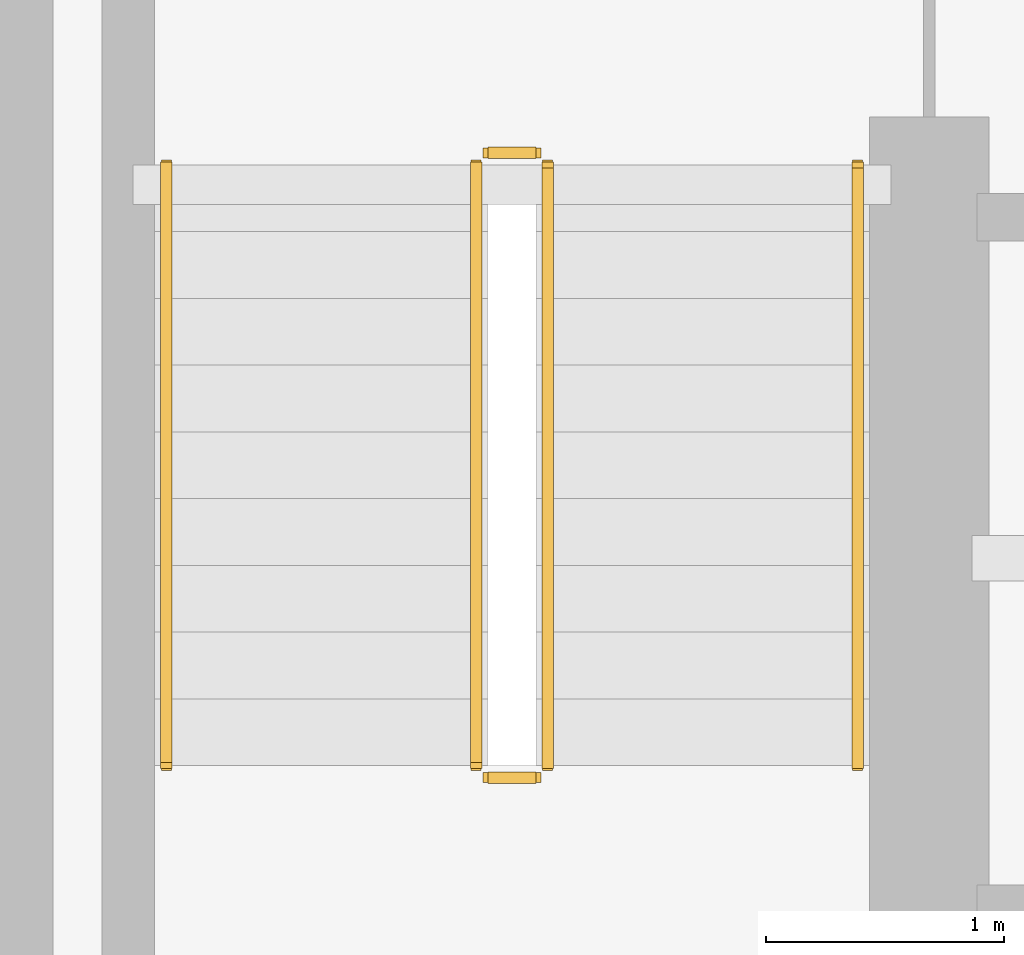
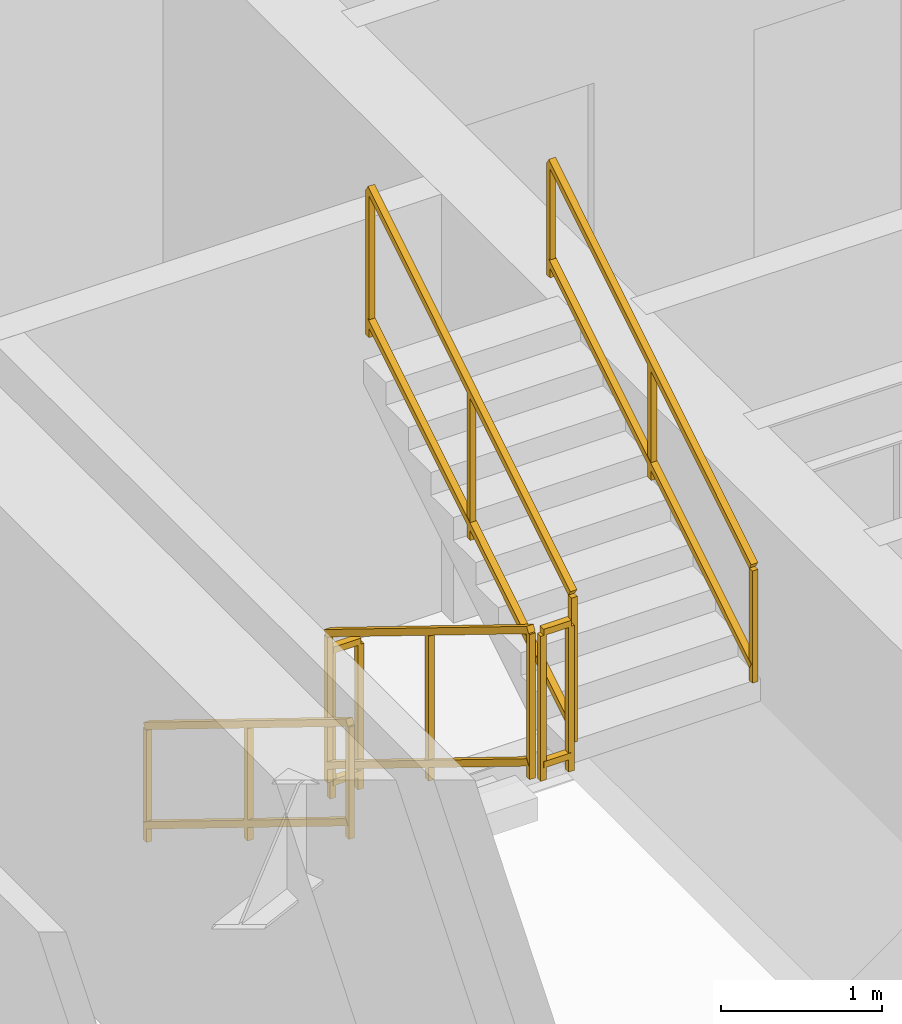
# One storey, part 27 of 30: 6 railings.
"""IFC4 building model written with IfcOpenShell, lengths in metres."""

from ifc_helpers import new_model, si_unit, direction, frame, origin, origin_2d, place, context, subcontext, project, spatial, rectangle, extrude, material, type_object, element, save


model = new_model("IFC4")

# Units and contexts
model_context = context("Model", 3, precision=1e-05, world=origin(), true_north=direction((0.0, 1.0)))
body_context = subcontext(model_context, "Body", "Model", "MODEL_VIEW")
ifc_project = project(units=[si_unit("LENGTHUNIT", "METRE"), si_unit("AREAUNIT", "SQUARE_METRE"), si_unit("VOLUMEUNIT", "CUBIC_METRE"), si_unit("PLANEANGLEUNIT", "RADIAN"), si_unit("MASSUNIT", "GRAM", prefix="KILO")], contexts=[model_context])

# Site, building, storey
site_placement = place(None, origin())
site = spatial("IfcSite", under=ifc_project, at=site_placement, CompositionType="ELEMENT")
building_placement = place(site_placement, origin())
building = spatial("IfcBuilding", under=site, at=building_placement, Name="Qarnah Convention Tower", CompositionType="ELEMENT")
storey_placement = place(building_placement, frame((0.0, 0.0, 58.050048828125)))
storey = spatial("IfcBuildingStorey", under=building, at=storey_placement, Name="L14", CompositionType="ELEMENT", Elevation=58.050048828125)

# Railings
ifc_material = material(Name="Structural steel S355JR", Category="steel")
railing_type_1 = type_object("IfcRailingType", Name="RL-STAIR-GUARD-1150", PredefinedType="GUARDRAIL", material=ifc_material)
railing_1_placement = place(storey_placement, frame((28.89990234375, 25.300048828125, 0.17236328125)))
element("IfcRailing", 1, at=railing_1_placement, inside=storey, type_object=railing_type_1, Name="L14 ST-1 stair guard 1", PredefinedType="GUARDRAIL", context=body_context, shape_type="SweptSolid", body=[
    extrude(rectangle(XDim=0.048095703125, YDim=0.048095703125, at=origin_2d()), frame((0.0, 0.0, 1.1259765625), z_axis=(0.0, -0.851400495292, 0.524516154772), x_axis=(1.0, 0.0, 0.0)), (0.0, 0.0, 1.0), 2.9599609375),
    extrude(rectangle(XDim=0.048095703125, YDim=0.048095703125, at=origin_2d()), frame((0.0, 0.0, 0.1201171875), z_axis=(0.0, -0.851400495292, 0.524516154772), x_axis=(1.0, 0.0, 0.0)), (0.0, 0.0, 1.0), 2.9599609375),
    extrude(rectangle(XDim=0.0419921875, YDim=0.0419921875, at=origin_2d()), origin(), (0.0, 0.0, 1.0), 1.101806640625),
    extrude(rectangle(XDim=0.0419921875, YDim=0.0419921875, at=origin_2d()), frame((0.0, -1.260009765625, 0.7763671875)), (0.0, 0.0, 1.0), 1.101806640625),
    extrude(rectangle(XDim=0.0419921875, YDim=0.0419921875, at=origin_2d()), frame((0.0, -2.52001953125, 1.552490234375)), (0.0, 0.0, 1.0), 1.101806640625),
])
railing_2_placement = place(storey_placement, frame((28.949951171875, 22.72998046875, 1.724853515625)))
element("IfcRailing", 2, at=railing_2_placement, inside=storey, type_object=railing_type_1, Name="L14 ST-1 stair guard 2", PredefinedType="GUARDRAIL", context=body_context, shape_type="SweptSolid", body=[
    extrude(rectangle(XDim=0.048095703125, YDim=0.048095703125, at=origin_2d()), frame((0.0, 0.0, 1.1259765625), z_axis=(1.0, 0.0, 0.0), x_axis=(0.0, 1.0, 0.0)), (0.0, 0.0, 1.0), 0.199951171875),
    extrude(rectangle(XDim=0.048095703125, YDim=0.048095703125, at=origin_2d()), frame((0.0, 0.0, 0.1201171875), z_axis=(1.0, 0.0, 0.0), x_axis=(0.0, 1.0, 0.0)), (0.0, 0.0, 1.0), 0.199951171875),
    extrude(rectangle(XDim=0.0419921875, YDim=0.0419921875, at=origin_2d()), origin(), (0.0, 0.0, 1.0), 1.101806640625),
    extrude(rectangle(XDim=0.0419921875, YDim=0.0419921875, at=origin_2d()), frame((0.199951171875, 0.0, 0.0)), (0.0, 0.0, 1.0), 1.101806640625),
])
railing_3_placement = place(storey_placement, frame((29.199951171875, 22.780029296875, 1.8974609375)))
element("IfcRailing", 3, at=railing_3_placement, inside=storey, type_object=railing_type_1, Name="L14 ST-1 stair guard 3", PredefinedType="GUARDRAIL", context=body_context, shape_type="SweptSolid", body=[
    extrude(rectangle(XDim=0.048095703125, YDim=0.048095703125, at=origin_2d()), frame((0.0, 0.0, 1.1259765625), z_axis=(0.0, 0.851400495292, 0.524516154772), x_axis=(-1.0, 0.0, 0.0)), (0.0, 0.0, 1.0), 2.9599609375),
    extrude(rectangle(XDim=0.048095703125, YDim=0.048095703125, at=origin_2d()), frame((0.0, 0.0, 0.1201171875), z_axis=(0.0, 0.851400495292, 0.524516154772), x_axis=(-1.0, 0.0, 0.0)), (0.0, 0.0, 1.0), 2.9599609375),
    extrude(rectangle(XDim=0.0419921875, YDim=0.0419921875, at=origin_2d()), origin(), (0.0, 0.0, 1.0), 1.101806640625),
    extrude(rectangle(XDim=0.0419921875, YDim=0.0419921875, at=origin_2d()), frame((0.0, 1.260009765625, 0.7763671875)), (0.0, 0.0, 1.0), 1.101806640625),
    extrude(rectangle(XDim=0.0419921875, YDim=0.0419921875, at=origin_2d()), frame((0.0, 2.52001953125, 1.552490234375)), (0.0, 0.0, 1.0), 1.101806640625),
])
railing_4_placement = place(storey_placement, frame((28.949951171875, 25.35009765625, 0.0)))
element("IfcRailing", 4, at=railing_4_placement, inside=storey, type_object=railing_type_1, Name="L14 ST-1 stair guard 4", PredefinedType="GUARDRAIL", context=body_context, shape_type="SweptSolid", body=[
    extrude(rectangle(XDim=0.048095703125, YDim=0.048095703125, at=origin_2d()), frame((0.0, 0.0, 1.1259765625), z_axis=(1.0, 0.0, 0.0), x_axis=(0.0, 1.0, 0.0)), (0.0, 0.0, 1.0), 0.199951171875),
    extrude(rectangle(XDim=0.048095703125, YDim=0.048095703125, at=origin_2d()), frame((0.0, 0.0, 0.1201171875), z_axis=(1.0, 0.0, 0.0), x_axis=(0.0, 1.0, 0.0)), (0.0, 0.0, 1.0), 0.199951171875),
    extrude(rectangle(XDim=0.0419921875, YDim=0.0419921875, at=origin_2d()), origin(), (0.0, 0.0, 1.0), 1.101806640625),
    extrude(rectangle(XDim=0.0419921875, YDim=0.0419921875, at=origin_2d()), frame((0.199951171875, 0.0, 0.0)), (0.0, 0.0, 1.0), 1.101806640625),
])
railing_type_2 = type_object("IfcRailingType", Name="RL-STAIR-HAND-900", PredefinedType="HANDRAIL", material=ifc_material)
railing_5_placement = place(storey_placement, frame((27.60009765625, 25.300048828125, 0.17236328125)))
element("IfcRailing", 5, at=railing_5_placement, inside=storey, type_object=railing_type_2, Name="L14 ST-1 stair handrail 1", PredefinedType="HANDRAIL", context=body_context, shape_type="SweptSolid", body=[
    extrude(rectangle(XDim=0.048095703125, YDim=0.048095703125, at=origin_2d()), frame((0.0, 0.0, 0.8759765625), z_axis=(0.0, -0.851400495292, 0.524516154772), x_axis=(1.0, 0.0, 0.0)), (0.0, 0.0, 1.0), 2.9599609375),
    extrude(rectangle(XDim=0.048095703125, YDim=0.048095703125, at=origin_2d()), frame((0.0, 0.0, 0.1201171875), z_axis=(0.0, -0.851400495292, 0.524516154772), x_axis=(1.0, 0.0, 0.0)), (0.0, 0.0, 1.0), 2.9599609375),
    extrude(rectangle(XDim=0.0419921875, YDim=0.0419921875, at=origin_2d()), origin(), (0.0, 0.0, 1.0), 0.851806640625),
    extrude(rectangle(XDim=0.0419921875, YDim=0.0419921875, at=origin_2d()), frame((0.0, -1.260009765625, 0.7763671875)), (0.0, 0.0, 1.0), 0.851806640625),
    extrude(rectangle(XDim=0.0419921875, YDim=0.0419921875, at=origin_2d()), frame((0.0, -2.52001953125, 1.552490234375)), (0.0, 0.0, 1.0), 0.851806640625),
])
railing_6_placement = place(storey_placement, frame((30.5, 22.780029296875, 1.8974609375)))
element("IfcRailing", 6, at=railing_6_placement, inside=storey, type_object=railing_type_2, Name="L14 ST-1 stair handrail 2", PredefinedType="HANDRAIL", context=body_context, shape_type="SweptSolid", body=[
    extrude(rectangle(XDim=0.048095703125, YDim=0.048095703125, at=origin_2d()), frame((0.0, 0.0, 0.8759765625), z_axis=(0.0, 0.851400495292, 0.524516154772), x_axis=(-1.0, 0.0, 0.0)), (0.0, 0.0, 1.0), 2.9599609375),
    extrude(rectangle(XDim=0.048095703125, YDim=0.048095703125, at=origin_2d()), frame((0.0, 0.0, 0.1201171875), z_axis=(0.0, 0.851400495292, 0.524516154772), x_axis=(-1.0, 0.0, 0.0)), (0.0, 0.0, 1.0), 2.9599609375),
    extrude(rectangle(XDim=0.0419921875, YDim=0.0419921875, at=origin_2d()), origin(), (0.0, 0.0, 1.0), 0.851806640625),
    extrude(rectangle(XDim=0.0419921875, YDim=0.0419921875, at=origin_2d()), frame((0.0, 1.260009765625, 0.7763671875)), (0.0, 0.0, 1.0), 0.851806640625),
    extrude(rectangle(XDim=0.0419921875, YDim=0.0419921875, at=origin_2d()), frame((0.0, 2.52001953125, 1.552490234375)), (0.0, 0.0, 1.0), 0.851806640625),
])

save(model, "model.ifc")
